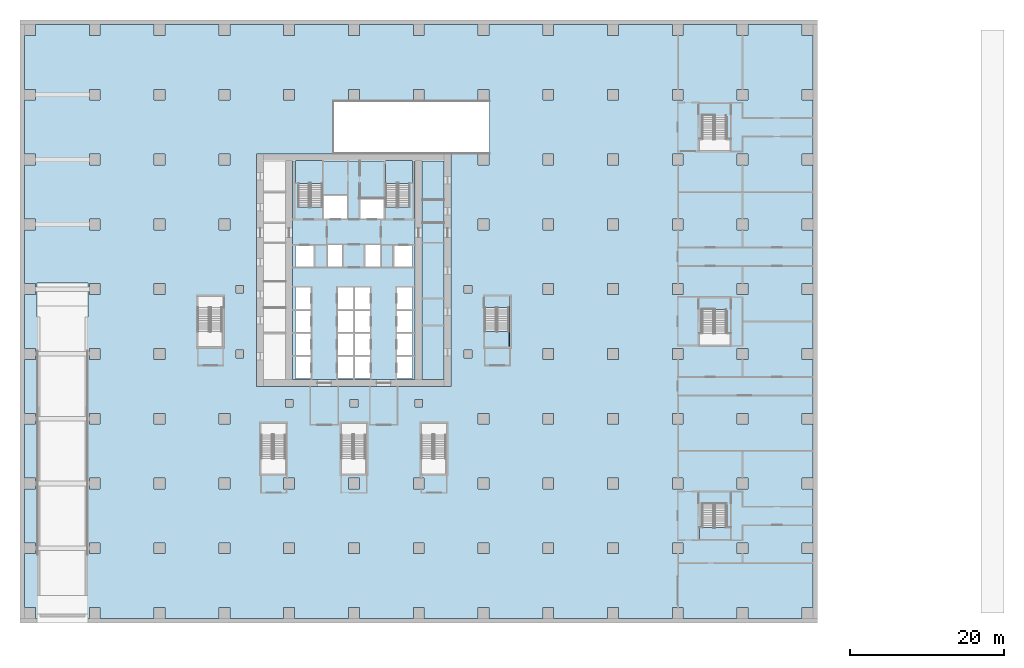
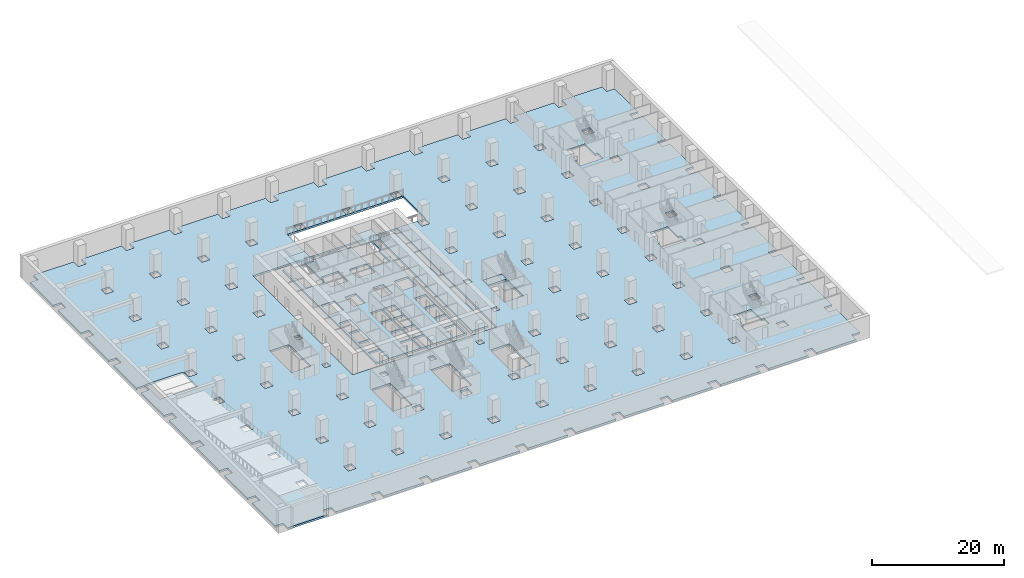
# One storey, part 2 of 17: 8 slabs, 4 elements without a shape of their own.
"""IFC4 building model written with IfcOpenShell, lengths in metres."""

from ifc_helpers import new_model, si_unit, direction, frame, origin, place, context, subcontext, project, spatial, polyline, outline, extrude, material, layer, layer_set, type_object, element, aggregate, save


model = new_model("IFC4")

# Units and contexts
model_context = context("Model", 3, precision=1e-05, world=origin(), true_north=direction((0.0, 1.0)))
body_context = subcontext(model_context, "Body", "Model", "MODEL_VIEW")
ifc_project = project(units=[si_unit("LENGTHUNIT", "METRE"), si_unit("AREAUNIT", "SQUARE_METRE"), si_unit("VOLUMEUNIT", "CUBIC_METRE"), si_unit("PLANEANGLEUNIT", "RADIAN"), si_unit("MASSUNIT", "GRAM", prefix="KILO")], contexts=[model_context])

# Site, building, storey
site_placement = place(None, origin())
site = spatial("IfcSite", under=ifc_project, at=site_placement, CompositionType="ELEMENT")
building_placement = place(site_placement, origin())
building = spatial("IfcBuilding", under=site, at=building_placement, Name="Vermilion Ogive Tower", CompositionType="ELEMENT")
storey_placement = place(building_placement, frame((0.0, 0.0, -4.199951171875)))
storey = spatial("IfcBuildingStorey", under=building, at=storey_placement, Name="B1", CompositionType="ELEMENT", Elevation=-4.199951171875)

# Slabs
ifc_material_1 = material(Name="Concrete B45", Category="concrete")
ifc_layer_1 = layer(ifc_material_1, 0.35009765625)
ifc_layer_set_1 = layer_set([ifc_layer_1], Name="Basement floor slab 350")
slab_type_1 = type_object("IfcSlabType", Name="Basement floor slab 350", PredefinedType="FLOOR", material=ifc_layer_set_1)
slab_1_placement = place(storey_placement, frame((0.0, 0.0, -0.35009765625)))
element("IfcSlab", 1, at=slab_1_placement, inside=storey, type_object=slab_type_1, Name="B1 slab 1", PredefinedType="FLOOR", context=body_context, shape_type="SweptSolid", body=[
    extrude(outline(polyline([(41.300048828125, -37.10009765625), (42.699951171875, -37.10009765625), (42.699951171875, -38.5), (49.699951171875, -38.5), (49.699951171875, -37.10009765625), (51.10009765625, -37.10009765625), (51.10009765625, -38.5), (58.10009765625, -38.5), (58.10009765625, -37.10009765625), (59.5, -37.10009765625), (59.5, -30.10009765625), (58.10009765625, -30.10009765625), (58.10009765625, -28.699951171875), (59.5, -28.699951171875), (59.5, -21.699951171875), (58.10009765625, -21.699951171875), (58.10009765625, -20.300048828125), (59.5, -20.300048828125), (59.5, -13.300048828125), (58.10009765625, -13.300048828125), (58.10009765625, -11.89990234375), (59.5, -11.89990234375), (59.5, -4.89990234375), (58.10009765625, -4.89990234375), (58.10009765625, -3.5), (59.5, -3.5), (59.5, 3.5), (58.10009765625, 3.5), (58.10009765625, 4.89990234375), (59.5, 4.89990234375), (59.5, 11.89990234375), (58.10009765625, 11.89990234375), (58.10009765625, 13.300048828125), (59.5, 13.300048828125), (59.5, 20.300048828125), (58.10009765625, 20.300048828125), (58.10009765625, 21.699951171875), (59.5, 21.699951171875), (59.5, 28.699951171875), (58.10009765625, 28.699951171875), (58.10009765625, 30.10009765625), (59.5, 30.10009765625), (59.5, 37.10009765625), (58.10009765625, 37.10009765625), (58.10009765625, 38.5), (51.10009765625, 38.5), (51.10009765625, 37.10009765625), (49.699951171875, 37.10009765625), (49.699951171875, 38.5), (42.699951171875, 38.5), (42.699951171875, 37.10009765625), (41.300048828125, 37.10009765625), (41.300048828125, 38.5), (34.300048828125, 38.5), (34.300048828125, 37.10009765625), (32.89990234375, 37.10009765625), (32.89990234375, 38.5), (25.89990234375, 38.5), (25.89990234375, 37.10009765625), (24.5, 37.10009765625), (24.5, 38.5), (17.5, 38.5), (17.5, 37.10009765625), (16.10009765625, 37.10009765625), (16.10009765625, 38.5), (9.10009765625, 38.5), (9.10009765625, 37.10009765625), (7.699951171875, 37.10009765625), (7.699951171875, 38.5), (0.699951171875, 38.5), (0.699951171875, 37.10009765625), (-0.699951171875, 37.10009765625), (-0.699951171875, 38.5), (-7.699951171875, 38.5), (-7.699951171875, 37.10009765625), (-9.10009765625, 37.10009765625), (-9.10009765625, 38.5), (-16.10009765625, 38.5), (-16.10009765625, 37.10009765625), (-17.5, 37.10009765625), (-17.5, 38.5), (-24.5, 38.5), (-24.5, 37.10009765625), (-25.89990234375, 37.10009765625), (-25.89990234375, 38.5), (-32.89990234375, 38.5), (-32.89990234375, 37.10009765625), (-34.300048828125, 37.10009765625), (-34.300048828125, 38.5), (-41.300048828125, 38.5), (-41.300048828125, 37.10009765625), (-42.699951171875, 37.10009765625), (-42.699951171875, 30.10009765625), (-41.300048828125, 30.10009765625), (-41.300048828125, 28.699951171875), (-42.699951171875, 28.699951171875), (-42.699951171875, 21.699951171875), (-41.300048828125, 21.699951171875), (-41.300048828125, 20.300048828125), (-42.699951171875, 20.300048828125), (-42.699951171875, 13.300048828125), (-41.300048828125, 13.300048828125), (-41.300048828125, 11.89990234375), (-42.699951171875, 11.89990234375), (-42.699951171875, 4.89990234375), (-41.300048828125, 4.89990234375), (-41.300048828125, 3.5), (-42.699951171875, 3.5), (-42.699951171875, -3.5), (-41.300048828125, -3.5), (-41.300048828125, -4.89990234375), (-42.699951171875, -4.89990234375), (-42.699951171875, -11.89990234375), (-41.300048828125, -11.89990234375), (-41.300048828125, -13.300048828125), (-42.699951171875, -13.300048828125), (-42.699951171875, -20.300048828125), (-41.300048828125, -20.300048828125), (-41.300048828125, -21.699951171875), (-42.699951171875, -21.699951171875), (-42.699951171875, -28.699951171875), (-41.300048828125, -28.699951171875), (-41.300048828125, -30.10009765625), (-42.699951171875, -30.10009765625), (-42.699951171875, -37.10009765625), (-41.300048828125, -37.10009765625), (-41.300048828125, -38.5), (-34.300048828125, -38.5), (-34.300048828125, -37.10009765625), (-32.89990234375, -37.10009765625), (-32.89990234375, -38.5), (-25.89990234375, -38.5), (-25.89990234375, -37.10009765625), (-24.5, -37.10009765625), (-24.5, -38.5), (-17.5, -38.5), (-17.5, -37.10009765625), (-16.10009765625, -37.10009765625), (-16.10009765625, -38.5), (-9.10009765625, -38.5), (-9.10009765625, -37.10009765625), (-7.699951171875, -37.10009765625), (-7.699951171875, -38.5), (-0.699951171875, -38.5), (-0.699951171875, -37.10009765625), (0.699951171875, -37.10009765625), (0.699951171875, -38.5), (7.699951171875, -38.5), (7.699951171875, -37.10009765625), (9.10009765625, -37.10009765625), (9.10009765625, -38.5), (16.10009765625, -38.5), (16.10009765625, -37.10009765625), (17.5, -37.10009765625), (17.5, -38.5), (24.5, -38.5), (24.5, -37.10009765625), (25.89990234375, -37.10009765625), (25.89990234375, -38.5), (32.89990234375, -38.5), (32.89990234375, -37.10009765625), (34.300048828125, -37.10009765625), (34.300048828125, -38.5), (41.300048828125, -38.5), (41.300048828125, -37.10009765625)]), holes=[polyline([(-25.89990234375, -30.10009765625), (-25.89990234375, -28.699951171875), (-24.5, -28.699951171875), (-24.5, -30.10009765625), (-25.89990234375, -30.10009765625)]), polyline([(-34.300048828125, -30.10009765625), (-34.300048828125, -28.699951171875), (-32.89990234375, -28.699951171875), (-32.89990234375, -30.10009765625), (-34.300048828125, -30.10009765625)]), polyline([(-17.5, -21.699951171875), (-17.5, -20.300048828125), (-16.10009765625, -20.300048828125), (-16.10009765625, -21.699951171875), (-17.5, -21.699951171875)]), polyline([(-25.89990234375, -21.699951171875), (-25.89990234375, -20.300048828125), (-24.5, -20.300048828125), (-24.5, -21.699951171875), (-25.89990234375, -21.699951171875)]), polyline([(-34.300048828125, -21.699951171875), (-34.300048828125, -20.300048828125), (-32.89990234375, -20.300048828125), (-32.89990234375, -21.699951171875), (-34.300048828125, -21.699951171875)]), polyline([(-34.300048828125, -13.300048828125), (-34.300048828125, -11.89990234375), (-32.89990234375, -11.89990234375), (-32.89990234375, -13.300048828125), (-34.300048828125, -13.300048828125)]), polyline([(-25.89990234375, -13.300048828125), (-25.89990234375, -11.89990234375), (-24.5, -11.89990234375), (-24.5, -13.300048828125), (-25.89990234375, -13.300048828125)]), polyline([(-34.300048828125, -4.89990234375), (-34.300048828125, -3.5), (-32.89990234375, -3.5), (-32.89990234375, -4.89990234375), (-34.300048828125, -4.89990234375)]), polyline([(-25.89990234375, -4.89990234375), (-25.89990234375, -3.5), (-24.5, -3.5), (-24.5, -4.89990234375), (-25.89990234375, -4.89990234375)]), polyline([(-20.25, -3.300048828125), (-20.25, 3.300048828125), (-16.949951171875, 3.300048828125), (-16.949951171875, -3.300048828125), (-20.25, -3.300048828125)]), polyline([(-34.5, 5.0), (-34.5, 0.591552734375), (-41.10009765625, 0.591552734375), (-41.10009765625, 5.0), (-34.5, 5.0)]), polyline([(-25.89990234375, 3.5), (-25.89990234375, 4.89990234375), (-24.5, 4.89990234375), (-24.5, 3.5), (-25.89990234375, 3.5)]), polyline([(-34.300048828125, 3.5), (-34.300048828125, 4.89990234375), (-32.89990234375, 4.89990234375), (-32.89990234375, 3.5), (-34.300048828125, 3.5)]), polyline([(-34.300048828125, 11.89990234375), (-34.300048828125, 13.300048828125), (-32.89990234375, 13.300048828125), (-32.89990234375, 11.89990234375), (-34.300048828125, 11.89990234375)]), polyline([(-25.89990234375, 11.89990234375), (-25.89990234375, 13.300048828125), (-24.5, 13.300048828125), (-24.5, 11.89990234375), (-25.89990234375, 11.89990234375)]), polyline([(-34.300048828125, 20.300048828125), (-34.300048828125, 21.699951171875), (-32.89990234375, 21.699951171875), (-32.89990234375, 20.300048828125), (-34.300048828125, 20.300048828125)]), polyline([(-25.89990234375, 20.300048828125), (-25.89990234375, 21.699951171875), (-24.5, 21.699951171875), (-24.5, 20.300048828125), (-25.89990234375, 20.300048828125)]), polyline([(-25.89990234375, 28.699951171875), (-25.89990234375, 30.10009765625), (-24.5, 30.10009765625), (-24.5, 28.699951171875), (-25.89990234375, 28.699951171875)]), polyline([(-34.300048828125, 28.699951171875), (-34.300048828125, 30.10009765625), (-32.89990234375, 30.10009765625), (-32.89990234375, 28.699951171875), (-34.300048828125, 28.699951171875)]), polyline([(-17.5, -30.10009765625), (-17.5, -28.699951171875), (-16.10009765625, -28.699951171875), (-16.10009765625, -30.10009765625), (-17.5, -30.10009765625)]), polyline([(7.699951171875, -30.10009765625), (7.699951171875, -28.699951171875), (9.10009765625, -28.699951171875), (9.10009765625, -30.10009765625), (7.699951171875, -30.10009765625)]), polyline([(-0.699951171875, -30.10009765625), (-0.699951171875, -28.699951171875), (0.699951171875, -28.699951171875), (0.699951171875, -30.10009765625), (-0.699951171875, -30.10009765625)]), polyline([(-9.10009765625, -30.10009765625), (-9.10009765625, -28.699951171875), (-7.699951171875, -28.699951171875), (-7.699951171875, -30.10009765625), (-9.10009765625, -30.10009765625)]), polyline([(7.699951171875, -21.699951171875), (7.699951171875, -20.300048828125), (9.10009765625, -20.300048828125), (9.10009765625, -21.699951171875), (7.699951171875, -21.699951171875)]), polyline([(-0.699951171875, -21.699951171875), (-0.699951171875, -20.300048828125), (0.699951171875, -20.300048828125), (0.699951171875, -21.699951171875), (-0.699951171875, -21.699951171875)]), polyline([(-9.10009765625, -21.699951171875), (-9.10009765625, -20.300048828125), (-7.699951171875, -20.300048828125), (-7.699951171875, -21.699951171875), (-9.10009765625, -21.699951171875)]), polyline([(8.75, -19.800048828125), (8.75, -13.199951171875), (12.050048828125, -13.199951171875), (12.050048828125, -19.800048828125), (8.75, -19.800048828125)]), polyline([(-1.64990234375, -19.800048828125), (-1.64990234375, -13.199951171875), (1.64990234375, -13.199951171875), (1.64990234375, -19.800048828125), (-1.64990234375, -19.800048828125)]), polyline([(-12.050048828125, -19.800048828125), (-12.050048828125, -13.199951171875), (-8.75, -13.199951171875), (-8.75, -19.800048828125), (-12.050048828125, -19.800048828125)]), polyline([(-17.5, -13.300048828125), (-17.5, -11.89990234375), (-16.10009765625, -11.89990234375), (-16.10009765625, -13.300048828125), (-17.5, -13.300048828125)]), polyline([(-0.5, -11.10009765625), (-0.5, -10.10009765625), (0.5, -10.10009765625), (0.5, -11.10009765625), (-0.5, -11.10009765625)]), polyline([(7.89990234375, -11.10009765625), (7.89990234375, -10.10009765625), (8.89990234375, -10.10009765625), (8.89990234375, -11.10009765625), (7.89990234375, -11.10009765625)]), polyline([(-8.89990234375, -11.10009765625), (-8.89990234375, -10.10009765625), (-7.89990234375, -10.10009765625), (-7.89990234375, -11.10009765625), (-8.89990234375, -11.10009765625)]), polyline([(-15.300048828125, -4.699951171875), (-15.300048828125, -3.699951171875), (-14.300048828125, -3.699951171875), (-14.300048828125, -4.699951171875), (-15.300048828125, -4.699951171875)]), polyline([(14.300048828125, 3.699951171875), (14.300048828125, 4.699951171875), (15.300048828125, 4.699951171875), (15.300048828125, 3.699951171875), (14.300048828125, 3.699951171875)]), polyline([(-15.300048828125, 3.699951171875), (-15.300048828125, 4.699951171875), (-14.300048828125, 4.699951171875), (-14.300048828125, 3.699951171875), (-15.300048828125, 3.699951171875)]), polyline([(-12.60009765625, -8.39990234375), (-12.60009765625, 21.75), (12.60009765625, 21.75), (12.60009765625, -8.39990234375), (-12.60009765625, -8.39990234375)]), polyline([(-17.5, 11.89990234375), (-17.5, 13.300048828125), (-16.10009765625, 13.300048828125), (-16.10009765625, 11.89990234375), (-17.5, 11.89990234375)]), polyline([(-17.5, 20.300048828125), (-17.5, 21.699951171875), (-16.10009765625, 21.699951171875), (-16.10009765625, 20.300048828125), (-17.5, 20.300048828125)]), polyline([(-2.683349609375, 21.800048828125), (-2.683349609375, 28.60009765625), (17.60009765625, 28.60009765625), (17.60009765625, 21.800048828125), (-2.683349609375, 21.800048828125)]), polyline([(-17.5, 28.699951171875), (-17.5, 30.10009765625), (-16.10009765625, 30.10009765625), (-16.10009765625, 28.699951171875), (-17.5, 28.699951171875)]), polyline([(-0.699951171875, 28.699951171875), (-0.699951171875, 30.10009765625), (0.699951171875, 30.10009765625), (0.699951171875, 28.699951171875), (-0.699951171875, 28.699951171875)]), polyline([(-9.10009765625, 28.699951171875), (-9.10009765625, 30.10009765625), (-7.699951171875, 30.10009765625), (-7.699951171875, 28.699951171875), (-9.10009765625, 28.699951171875)]), polyline([(7.699951171875, 28.699951171875), (7.699951171875, 30.10009765625), (9.10009765625, 30.10009765625), (9.10009765625, 28.699951171875), (7.699951171875, 28.699951171875)]), polyline([(16.10009765625, -30.10009765625), (16.10009765625, -28.699951171875), (17.5, -28.699951171875), (17.5, -30.10009765625), (16.10009765625, -30.10009765625)]), polyline([(32.89990234375, -30.10009765625), (32.89990234375, -28.699951171875), (34.300048828125, -28.699951171875), (34.300048828125, -30.10009765625), (32.89990234375, -30.10009765625)]), polyline([(24.5, -30.10009765625), (24.5, -28.699951171875), (25.89990234375, -28.699951171875), (25.89990234375, -30.10009765625), (24.5, -30.10009765625)]), polyline([(16.10009765625, -21.699951171875), (16.10009765625, -20.300048828125), (17.5, -20.300048828125), (17.5, -21.699951171875), (16.10009765625, -21.699951171875)]), polyline([(41.300048828125, -21.699951171875), (41.300048828125, -20.300048828125), (42.699951171875, -20.300048828125), (42.699951171875, -21.699951171875), (41.300048828125, -21.699951171875)]), polyline([(32.89990234375, -21.699951171875), (32.89990234375, -20.300048828125), (34.300048828125, -20.300048828125), (34.300048828125, -21.699951171875), (32.89990234375, -21.699951171875)]), polyline([(24.5, -21.699951171875), (24.5, -20.300048828125), (25.89990234375, -20.300048828125), (25.89990234375, -21.699951171875), (24.5, -21.699951171875)]), polyline([(41.300048828125, -13.300048828125), (41.300048828125, -11.89990234375), (42.699951171875, -11.89990234375), (42.699951171875, -13.300048828125), (41.300048828125, -13.300048828125)]), polyline([(24.5, -13.300048828125), (24.5, -11.89990234375), (25.89990234375, -11.89990234375), (25.89990234375, -13.300048828125), (24.5, -13.300048828125)]), polyline([(32.89990234375, -13.300048828125), (32.89990234375, -11.89990234375), (34.300048828125, -11.89990234375), (34.300048828125, -13.300048828125), (32.89990234375, -13.300048828125)]), polyline([(16.10009765625, -13.300048828125), (16.10009765625, -11.89990234375), (17.5, -11.89990234375), (17.5, -13.300048828125), (16.10009765625, -13.300048828125)]), polyline([(32.89990234375, -4.89990234375), (32.89990234375, -3.5), (34.300048828125, -3.5), (34.300048828125, -4.89990234375), (32.89990234375, -4.89990234375)]), polyline([(14.300048828125, -4.699951171875), (14.300048828125, -3.699951171875), (15.300048828125, -3.699951171875), (15.300048828125, -4.699951171875), (14.300048828125, -4.699951171875)]), polyline([(24.5, -4.89990234375), (24.5, -3.5), (25.89990234375, -3.5), (25.89990234375, -4.89990234375), (24.5, -4.89990234375)]), polyline([(16.949951171875, -3.300048828125), (16.949951171875, 3.300048828125), (20.25, 3.300048828125), (20.25, -3.300048828125), (16.949951171875, -3.300048828125)]), polyline([(32.89990234375, 3.5), (32.89990234375, 4.89990234375), (34.300048828125, 4.89990234375), (34.300048828125, 3.5), (32.89990234375, 3.5)]), polyline([(24.5, 3.5), (24.5, 4.89990234375), (25.89990234375, 4.89990234375), (25.89990234375, 3.5), (24.5, 3.5)]), polyline([(24.5, 11.89990234375), (24.5, 13.300048828125), (25.89990234375, 13.300048828125), (25.89990234375, 11.89990234375), (24.5, 11.89990234375)]), polyline([(16.10009765625, 11.89990234375), (16.10009765625, 13.300048828125), (17.5, 13.300048828125), (17.5, 11.89990234375), (16.10009765625, 11.89990234375)]), polyline([(32.89990234375, 11.89990234375), (32.89990234375, 13.300048828125), (34.300048828125, 13.300048828125), (34.300048828125, 11.89990234375), (32.89990234375, 11.89990234375)]), polyline([(24.5, 20.300048828125), (24.5, 21.699951171875), (25.89990234375, 21.699951171875), (25.89990234375, 20.300048828125), (24.5, 20.300048828125)]), polyline([(32.89990234375, 20.300048828125), (32.89990234375, 21.699951171875), (34.300048828125, 21.699951171875), (34.300048828125, 20.300048828125), (32.89990234375, 20.300048828125)]), polyline([(16.10009765625, 20.300048828125), (16.10009765625, 21.699951171875), (17.5, 21.699951171875), (17.5, 20.300048828125), (16.10009765625, 20.300048828125)]), polyline([(32.89990234375, 28.699951171875), (32.89990234375, 30.10009765625), (34.300048828125, 30.10009765625), (34.300048828125, 28.699951171875), (32.89990234375, 28.699951171875)]), polyline([(24.5, 28.699951171875), (24.5, 30.10009765625), (25.89990234375, 30.10009765625), (25.89990234375, 28.699951171875), (24.5, 28.699951171875)]), polyline([(16.10009765625, 28.699951171875), (16.10009765625, 30.10009765625), (17.5, 30.10009765625), (17.5, 28.699951171875), (16.10009765625, 28.699951171875)]), polyline([(41.300048828125, -30.10009765625), (41.300048828125, -28.699951171875), (42.699951171875, -28.699951171875), (42.699951171875, -30.10009765625), (41.300048828125, -30.10009765625)]), polyline([(49.699951171875, -30.10009765625), (49.699951171875, -28.699951171875), (51.10009765625, -28.699951171875), (51.10009765625, -30.10009765625), (49.699951171875, -30.10009765625)]), polyline([(45.14990234375, -23.64990234375), (45.14990234375, -23.64990234375), (45.14990234375, -23.652099609375), (46.64990234375, -23.652099609375), (46.64990234375, -23.64990234375), (46.800048828125, -23.64990234375), (46.800048828125, -23.652099609375), (48.300048828125, -23.652099609375), (48.300048828125, -23.64990234375), (48.300048828125, -23.64990234375), (48.300048828125, -26.72998046875), (48.8125, -26.72998046875), (48.8125, -28.25), (44.787353515625, -28.25), (44.787353515625, -26.72998046875), (45.14990234375, -26.72998046875), (45.14990234375, -23.64990234375)]), polyline([(49.699951171875, -21.699951171875), (49.699951171875, -20.300048828125), (51.10009765625, -20.300048828125), (51.10009765625, -21.699951171875), (49.699951171875, -21.699951171875)]), polyline([(49.699951171875, -13.300048828125), (49.699951171875, -11.89990234375), (51.10009765625, -11.89990234375), (51.10009765625, -13.300048828125), (49.699951171875, -13.300048828125)]), polyline([(49.699951171875, -4.89990234375), (49.699951171875, -3.5), (51.10009765625, -3.5), (51.10009765625, -4.89990234375), (49.699951171875, -4.89990234375)]), polyline([(41.300048828125, -4.89990234375), (41.300048828125, -3.5), (42.699951171875, -3.5), (42.699951171875, -4.89990234375), (41.300048828125, -4.89990234375)]), polyline([(44.787353515625, -1.530029296875), (45.14990234375, -1.530029296875), (45.14990234375, 1.550048828125), (45.14990234375, 1.550048828125), (45.14990234375, 1.548095703125), (46.64990234375, 1.548095703125), (46.64990234375, 1.550048828125), (46.800048828125, 1.550048828125), (46.800048828125, 1.548095703125), (48.300048828125, 1.548095703125), (48.300048828125, 1.550048828125), (48.300048828125, 1.550048828125), (48.300048828125, -1.530029296875), (48.8125, -1.530029296875), (48.8125, -3.0498046875), (48.300048828125, -3.0498046875), (48.300048828125, -3.050048828125), (45.14990234375, -3.050048828125), (45.14990234375, -3.0498046875), (44.787353515625, -3.0498046875), (44.787353515625, -1.530029296875)]), polyline([(41.300048828125, 3.5), (41.300048828125, 4.89990234375), (42.699951171875, 4.89990234375), (42.699951171875, 3.5), (41.300048828125, 3.5)]), polyline([(49.699951171875, 3.5), (49.699951171875, 4.89990234375), (51.10009765625, 4.89990234375), (51.10009765625, 3.5), (49.699951171875, 3.5)]), polyline([(49.699951171875, 11.89990234375), (49.699951171875, 13.300048828125), (51.10009765625, 13.300048828125), (51.10009765625, 11.89990234375), (49.699951171875, 11.89990234375)]), polyline([(41.300048828125, 11.89990234375), (41.300048828125, 13.300048828125), (42.699951171875, 13.300048828125), (42.699951171875, 11.89990234375), (41.300048828125, 11.89990234375)]), polyline([(49.699951171875, 20.300048828125), (49.699951171875, 21.699951171875), (51.10009765625, 21.699951171875), (51.10009765625, 20.300048828125), (49.699951171875, 20.300048828125)]), polyline([(41.300048828125, 20.300048828125), (41.300048828125, 21.699951171875), (42.699951171875, 21.699951171875), (42.699951171875, 20.300048828125), (41.300048828125, 20.300048828125)]), polyline([(45.14990234375, 22.150146484375), (44.787353515625, 22.150146484375), (44.787353515625, 23.669921875), (45.14990234375, 23.669921875), (45.14990234375, 26.75), (45.14990234375, 26.75), (45.14990234375, 26.748046875), (46.64990234375, 26.748046875), (46.64990234375, 26.75), (46.800048828125, 26.75), (46.800048828125, 26.748046875), (48.300048828125, 26.748046875), (48.300048828125, 26.75), (48.300048828125, 26.75), (48.300048828125, 23.669921875), (48.8125, 23.669921875), (48.8125, 22.150146484375), (48.300048828125, 22.150146484375), (48.300048828125, 22.14990234375), (45.14990234375, 22.14990234375), (45.14990234375, 22.150146484375)]), polyline([(49.699951171875, 28.699951171875), (49.699951171875, 30.10009765625), (51.10009765625, 30.10009765625), (51.10009765625, 28.699951171875), (49.699951171875, 28.699951171875)]), polyline([(41.300048828125, 28.699951171875), (41.300048828125, 30.10009765625), (42.699951171875, 30.10009765625), (42.699951171875, 28.699951171875), (41.300048828125, 28.699951171875)])]), origin(), (0.0, 0.0, 1.0), 0.35009765625),
])
ifc_material_2 = material(Name="Concrete B40", Category="concrete")
ifc_layer_2 = layer(ifc_material_2, 0.35009765625)
ifc_layer_set_2 = layer_set([ifc_layer_2], Name="Core floor slab 350 B40")
slab_type_2 = type_object("IfcSlabType", Name="Core floor slab 350 B40", PredefinedType="FLOOR", material=ifc_layer_set_2)
slab_2_placement = place(storey_placement, frame((0.0, 0.0, -0.35009765625)))
element("IfcSlab", 2, at=slab_2_placement, inside=storey, type_object=slab_type_2, Name="B1-CK-FS2", PredefinedType="FLOOR", context=body_context, shape_type="SweptSolid", body=[
    extrude(outline(polyline([(5.75, 14.85009765625), (5.60009765625, 14.85009765625), (5.60009765625, 14.85205078125), (4.10009765625, 14.85205078125), (4.10009765625, 17.929931640625), (4.074951171875, 17.929931640625), (4.074951171875, 20.845947265625), (-4.10009765625, 20.845947265625), (-4.10009765625, 14.85205078125), (-5.60009765625, 14.85205078125), (-5.60009765625, 14.85009765625), (-5.75, 14.85009765625), (-5.75, 14.85205078125), (-7.25, 14.85205078125), (-7.25, 17.929931640625), (-7.60009765625, 17.929931640625), (-7.60009765625, 20.845947265625), (-7.946044921875, 20.845947265625), (-7.946044921875, -7.49609375), (7.946044921875, -7.49609375), (7.946044921875, 20.845947265625), (7.60009765625, 20.845947265625), (7.60009765625, 17.929931640625), (7.25, 17.929931640625), (7.25, 14.85205078125), (5.75, 14.85205078125), (5.75, 14.85009765625)]), holes=[polyline([(-7.60009765625, -4.60009765625), (-5.60009765625, -4.60009765625), (-5.60009765625, -7.39990234375), (-7.60009765625, -7.39990234375), (-7.60009765625, -4.60009765625)]), polyline([(-2.10009765625, -4.60009765625), (-0.10009765625, -4.60009765625), (-0.10009765625, -7.39990234375), (-2.10009765625, -7.39990234375), (-2.10009765625, -4.60009765625)]), polyline([(-7.60009765625, -1.60009765625), (-5.60009765625, -1.60009765625), (-5.60009765625, -4.39990234375), (-7.60009765625, -4.39990234375), (-7.60009765625, -1.60009765625)]), polyline([(-2.10009765625, -1.60009765625), (-0.10009765625, -1.60009765625), (-0.10009765625, -4.39990234375), (-2.10009765625, -4.39990234375), (-2.10009765625, -1.60009765625)]), polyline([(-7.60009765625, 1.39990234375), (-5.60009765625, 1.39990234375), (-5.60009765625, -1.39990234375), (-7.60009765625, -1.39990234375), (-7.60009765625, 1.39990234375)]), polyline([(-2.10009765625, 1.39990234375), (-0.10009765625, 1.39990234375), (-0.10009765625, -1.39990234375), (-2.10009765625, -1.39990234375), (-2.10009765625, 1.39990234375)]), polyline([(0.10009765625, 1.39990234375), (2.10009765625, 1.39990234375), (2.10009765625, -1.39990234375), (0.10009765625, -1.39990234375), (0.10009765625, 1.39990234375)]), polyline([(-7.60009765625, 4.39990234375), (-5.60009765625, 4.39990234375), (-5.60009765625, 1.60009765625), (-7.60009765625, 1.60009765625), (-7.60009765625, 4.39990234375)]), polyline([(-2.10009765625, 4.39990234375), (-0.10009765625, 4.39990234375), (-0.10009765625, 1.60009765625), (-2.10009765625, 1.60009765625), (-2.10009765625, 4.39990234375)]), polyline([(-7.60009765625, 9.800048828125), (-5.199951171875, 9.800048828125), (-5.199951171875, 7.10009765625), (-7.60009765625, 7.10009765625), (-7.60009765625, 9.800048828125)]), polyline([(-3.39990234375, 9.89990234375), (-1.5, 9.89990234375), (-1.5, 7.10009765625), (-3.39990234375, 7.10009765625), (-3.39990234375, 9.89990234375)]), polyline([(-3.89990234375, 16.300048828125), (-0.85009765625, 16.300048828125), (-0.85009765625, 13.35009765625), (-3.89990234375, 13.35009765625), (-3.89990234375, 16.300048828125)]), polyline([(0.10009765625, -4.60009765625), (2.10009765625, -4.60009765625), (2.10009765625, -7.39990234375), (0.10009765625, -7.39990234375), (0.10009765625, -4.60009765625)]), polyline([(5.60009765625, -4.60009765625), (7.60009765625, -4.60009765625), (7.60009765625, -7.39990234375), (5.60009765625, -7.39990234375), (5.60009765625, -4.60009765625)]), polyline([(0.10009765625, -1.60009765625), (2.10009765625, -1.60009765625), (2.10009765625, -4.39990234375), (0.10009765625, -4.39990234375), (0.10009765625, -1.60009765625)]), polyline([(5.60009765625, -1.60009765625), (7.60009765625, -1.60009765625), (7.60009765625, -4.39990234375), (5.60009765625, -4.39990234375), (5.60009765625, -1.60009765625)]), polyline([(5.60009765625, 1.39990234375), (7.60009765625, 1.39990234375), (7.60009765625, -1.39990234375), (5.60009765625, -1.39990234375), (5.60009765625, 1.39990234375)]), polyline([(0.10009765625, 4.39990234375), (2.10009765625, 4.39990234375), (2.10009765625, 1.60009765625), (0.10009765625, 1.60009765625), (0.10009765625, 4.39990234375)]), polyline([(5.60009765625, 4.39990234375), (7.60009765625, 4.39990234375), (7.60009765625, 1.60009765625), (5.60009765625, 1.60009765625), (5.60009765625, 4.39990234375)]), polyline([(5.199951171875, 9.800048828125), (7.60009765625, 9.800048828125), (7.60009765625, 7.10009765625), (5.199951171875, 7.10009765625), (5.199951171875, 9.800048828125)]), polyline([(1.5, 9.89990234375), (3.39990234375, 9.89990234375), (3.39990234375, 7.10009765625), (1.5, 7.10009765625), (1.5, 9.89990234375)]), polyline([(0.85009765625, 15.89990234375), (3.89990234375, 15.89990234375), (3.89990234375, 13.35009765625), (0.85009765625, 13.35009765625), (0.85009765625, 15.89990234375)])]), origin(), (0.0, 0.0, 1.0), 0.35009765625),
])
slab_3_placement = place(storey_placement, frame((0.0, 0.0, -0.35009765625)))
element("IfcSlab", 3, at=slab_3_placement, inside=storey, type_object=slab_type_2, Name="B1-CK-FS3", PredefinedType="FLOOR", context=body_context, shape_type="SweptSolid", body=[
    extrude(outline(polyline([(8.85400390625, 20.845947265625), (11.696044921875, 20.845947265625), (11.696044921875, -7.49609375), (8.85400390625, -7.49609375), (8.85400390625, 20.845947265625)])), origin(), (0.0, 0.0, 1.0), 0.35009765625),
])
slab_4_placement = place(storey_placement, frame((0.0, 0.0, -0.35009765625)))
element("IfcSlab", 4, at=slab_4_placement, inside=storey, type_object=slab_type_2, Name="B1-SF-ST8-1", PredefinedType="FLOOR", context=body_context, shape_type="SweptSolid", body=[
    extrude(outline(polyline([(16.949951171875, 3.300048828125), (16.949951171875, 1.798095703125), (18.449951171875, 1.798095703125), (18.449951171875, 1.800048828125), (18.60009765625, 1.800048828125), (18.60009765625, 1.798095703125), (20.10009765625, 1.798095703125), (20.10009765625, -3.300048828125), (20.25, -3.300048828125), (20.25, 3.300048828125), (16.949951171875, 3.300048828125)])), origin(), (0.0, 0.0, 1.0), 0.35009765625),
])

# Stair, slab
ifc_material_3 = material(Name="Concrete B40", Category="concrete")
stair_type = type_object("IfcStairType", Name="Exit stair 1500", PredefinedType="HALF_TURN_STAIR", material=ifc_material_3)
stair_1_placement = place(storey_placement, origin())
stair_1 = element("IfcStair", 5, at=stair_1_placement, inside=storey, type_object=stair_type, Name="B1 Exit Stair ST1", PredefinedType="HALF_TURN_STAIR")
ifc_material_4 = material(Name="Concrete B40", Category="concrete")
ifc_layer_3 = layer(ifc_material_4, 0.199951171875)
ifc_layer_set_3 = layer_set([ifc_layer_3], Name="Stair landing 200")
slab_type_3 = type_object("IfcSlabType", Name="Stair landing 200", PredefinedType="LANDING", material=ifc_layer_set_3)
slab_5_placement = place(storey_placement, frame((0.0, 0.0, 1.89990234375)))
slab_5 = element("IfcSlab", 6, at=slab_5_placement, type_object=slab_type_3, Name="ST1 landing 1", PredefinedType="LANDING", context=body_context, shape_type="SweptSolid", body=[
    extrude(outline(polyline([(-7.60009765625, 17.929931640625), (-7.25, 17.929931640625), (-7.25, 17.927978515625), (-5.75, 17.927978515625), (-5.75, 17.929931640625), (-5.60009765625, 17.929931640625), (-5.60009765625, 17.927978515625), (-4.10009765625, 17.927978515625), (-4.10009765625, 20.85009765625), (-7.60009765625, 20.85009765625), (-7.60009765625, 17.929931640625)])), origin(), (0.0, 0.0, 1.0), 0.199951171875),
])
aggregate(stair_1, [slab_5])

stair_2_placement = place(storey_placement, origin())
stair_2 = element("IfcStair", 7, at=stair_2_placement, inside=storey, type_object=stair_type, Name="B1 Exit Stair ST2", PredefinedType="HALF_TURN_STAIR")
slab_6_placement = place(storey_placement, frame((0.0, 0.0, 1.89990234375)))
slab_6 = element("IfcSlab", 8, at=slab_6_placement, type_object=slab_type_3, Name="ST2 landing 1", PredefinedType="LANDING", context=body_context, shape_type="SweptSolid", body=[
    extrude(outline(polyline([(5.60009765625, 17.929931640625), (5.75, 17.929931640625), (5.75, 17.927978515625), (7.25, 17.927978515625), (7.25, 17.929931640625), (7.60009765625, 17.929931640625), (7.60009765625, 20.85009765625), (4.074951171875, 20.85009765625), (4.074951171875, 17.929931640625), (4.10009765625, 17.929931640625), (4.10009765625, 17.927978515625), (5.60009765625, 17.927978515625), (5.60009765625, 17.929931640625)])), origin(), (0.0, 0.0, 1.0), 0.199951171875),
])
aggregate(stair_2, [slab_6])

stair_3_placement = place(storey_placement, origin())
stair_3 = element("IfcStair", 9, at=stair_3_placement, inside=storey, type_object=stair_type, Name="B1 Exit Stair ST8", PredefinedType="HALF_TURN_STAIR")
slab_7_placement = place(storey_placement, frame((0.0, 0.0, 1.89990234375)))
slab_7 = element("IfcSlab", 10, at=slab_7_placement, type_object=slab_type_3, Name="ST8 landing 1", PredefinedType="LANDING", context=body_context, shape_type="SweptSolid", body=[
    extrude(outline(polyline([(20.25, -1.280029296875), (20.10009765625, -1.280029296875), (20.10009765625, -1.278076171875), (18.60009765625, -1.278076171875), (18.60009765625, -1.280029296875), (18.449951171875, -1.280029296875), (18.449951171875, -1.278076171875), (16.949951171875, -1.278076171875), (16.949951171875, -3.300048828125), (20.25, -3.300048828125), (20.25, -1.280029296875)])), origin(), (0.0, 0.0, 1.0), 0.199951171875),
])
aggregate(stair_3, [slab_7])

stair_4_placement = place(storey_placement, origin())
stair_4 = element("IfcStair", 11, at=stair_4_placement, inside=storey, type_object=stair_type, Name="B1 Exit Stair PES", PredefinedType="HALF_TURN_STAIR")
slab_8_placement = place(storey_placement, frame((0.0, 0.0, 1.89990234375)))
slab_8 = element("IfcSlab", 12, at=slab_8_placement, type_object=slab_type_3, Name="PES landing 1", PredefinedType="LANDING", context=body_context, shape_type="SweptSolid", body=[
    extrude(outline(polyline([(48.8125, -26.72998046875), (48.300048828125, -26.72998046875), (48.300048828125, -26.72802734375), (46.800048828125, -26.72802734375), (46.800048828125, -26.72998046875), (46.64990234375, -26.72998046875), (46.64990234375, -26.72802734375), (45.14990234375, -26.72802734375), (45.14990234375, -26.72998046875), (44.787353515625, -26.72998046875), (44.787353515625, -28.25), (48.8125, -28.25), (48.8125, -26.72998046875)])), origin(), (0.0, 0.0, 1.0), 0.199951171875),
])
aggregate(stair_4, [slab_8])

save(model, "model.ifc")
